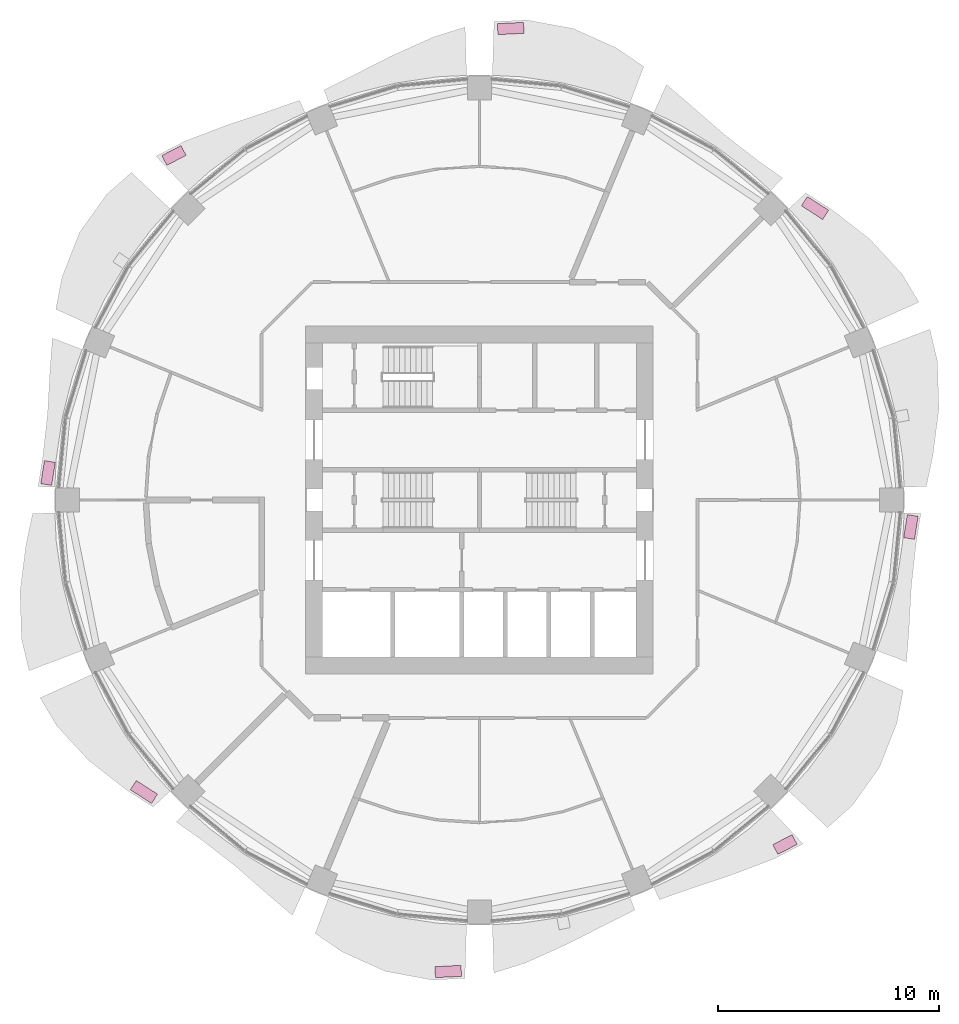
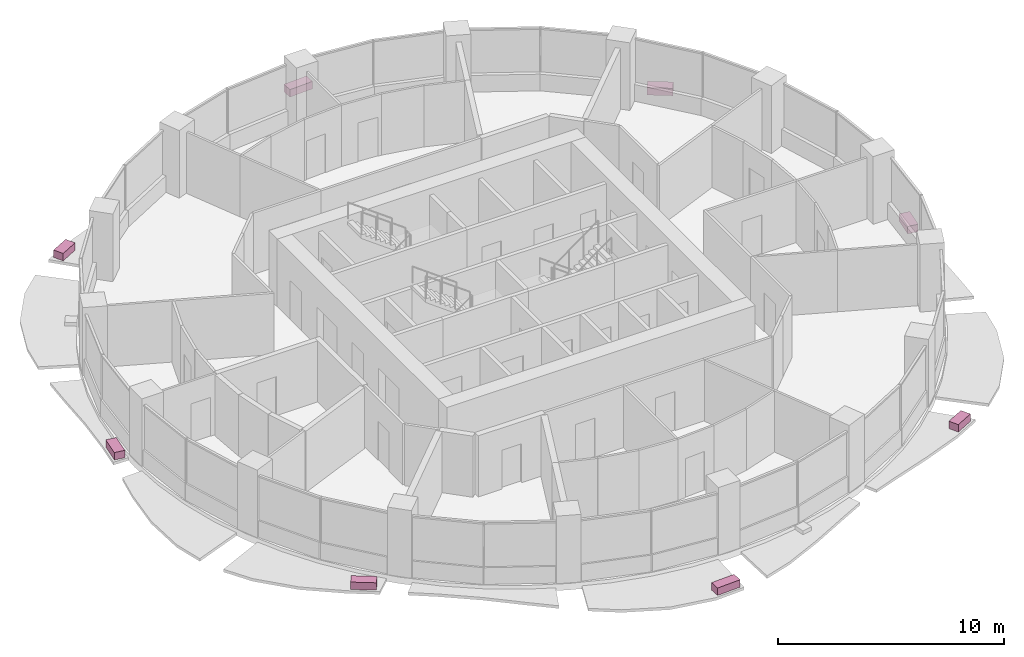
# One storey, part 14 of 14: 8 furniture elements.
"""IFC4 building model written with IfcOpenShell, lengths in metres."""

from ifc_helpers import new_model, si_unit, direction, frame, origin, origin_2d, place, context, subcontext, project, spatial, rectangle, extrude, material, type_object, element, save


model = new_model("IFC4")

# Units and contexts
model_context = context("Model", 3, precision=1e-05, world=origin(), true_north=direction((0.0, 1.0)))
body_context = subcontext(model_context, "Body", "Model", "MODEL_VIEW")
ifc_project = project(units=[si_unit("LENGTHUNIT", "METRE"), si_unit("AREAUNIT", "SQUARE_METRE"), si_unit("VOLUMEUNIT", "CUBIC_METRE"), si_unit("PLANEANGLEUNIT", "RADIAN"), si_unit("MASSUNIT", "GRAM", prefix="KILO")], contexts=[model_context])

# Site, building, storey
site_placement = place(None, origin())
site = spatial("IfcSite", under=ifc_project, at=site_placement, CompositionType="ELEMENT")
building_placement = place(site_placement, origin())
building = spatial("IfcBuilding", under=site, at=building_placement, Name="Polderwave Tower", CompositionType="ELEMENT")
storey_placement = place(building_placement, frame((0.0, 0.0, 98.300048828125)))
storey = spatial("IfcBuildingStorey", under=building, at=storey_placement, Name="L25", CompositionType="ELEMENT", Elevation=98.300048828125)

# Furniture
ifc_material = material(Name="Terracotta", Category="masonry")
furniture_type = type_object("IfcFurnitureType", Name="Terracotta planting trough", AssemblyPlace="NOTDEFINED", PredefinedType="USERDEFINED", material=ifc_material)
furniture_1_placement = place(storey_placement, frame((15.205078125, 13.22998046875, -0.199951171875), z_axis=(0.0, 0.0, 1.0), x_axis=(-0.840697997585, 0.541504272242, 0.0)))
element("IfcFurniture", 1, at=furniture_1_placement, inside=storey, type_object=furniture_type, Name="Planting trough L25 2", ObjectType="PLANTER", PredefinedType="USERDEFINED", context=body_context, shape_type="SweptSolid", body=[
    extrude(rectangle(XDim=1.145751953125, YDim=0.5, at=origin_2d()), origin(), (0.0, 0.0, 1.0), 0.39990234375),
])
furniture_2_placement = place(storey_placement, frame((1.4169921875, 21.364990234375, -0.199951171875), z_axis=(0.0, 0.0, 1.0), x_axis=(-0.998828539672, -0.048389547796, 0.0)))
element("IfcFurniture", 2, at=furniture_2_placement, inside=storey, type_object=furniture_type, Name="Planting trough L25 4", ObjectType="PLANTER", PredefinedType="USERDEFINED", context=body_context, shape_type="SweptSolid", body=[
    extrude(rectangle(XDim=1.18603515625, YDim=0.5, at=origin_2d()), origin(), (0.0, 0.0, 1.0), 0.39990234375),
])
furniture_3_placement = place(storey_placement, frame((-13.84375, 15.611328125, -0.199951171875), z_axis=(0.0, 0.0, 1.0), x_axis=(-0.887743889613, -0.460337687416, 0.0)))
element("IfcFurniture", 3, at=furniture_3_placement, inside=storey, type_object=furniture_type, Name="Planting trough L25 6", ObjectType="PLANTER", PredefinedType="USERDEFINED", context=body_context, shape_type="SweptSolid", body=[
    extrude(rectangle(XDim=0.982421875, YDim=0.5, at=origin_2d()), origin(), (0.0, 0.0, 1.0), 0.39990234375),
])
furniture_4_placement = place(storey_placement, frame((-19.550048828125, 1.222900390625, -0.199951171875), z_axis=(0.0, 0.0, 1.0), x_axis=(-0.157516943226, -0.987516284725, 0.0)))
element("IfcFurniture", 4, at=furniture_4_placement, inside=storey, type_object=furniture_type, Name="Planting trough L25 8", ObjectType="PLANTER", PredefinedType="USERDEFINED", context=body_context, shape_type="SweptSolid", body=[
    extrude(rectangle(XDim=1.058837890625, YDim=0.5, at=origin_2d()), origin(), (0.0, 0.0, 1.0), 0.39990234375),
])
furniture_5_placement = place(storey_placement, frame((-15.205078125, -13.22998046875, -0.199951171875), z_axis=(0.0, 0.0, 1.0), x_axis=(0.840697997585, -0.541504272242, 0.0)))
element("IfcFurniture", 5, at=furniture_5_placement, inside=storey, type_object=furniture_type, Name="Planting trough L25 10", ObjectType="PLANTER", PredefinedType="USERDEFINED", context=body_context, shape_type="SweptSolid", body=[
    extrude(rectangle(XDim=1.145751953125, YDim=0.5, at=origin_2d()), origin(), (0.0, 0.0, 1.0), 0.39990234375),
])
furniture_6_placement = place(storey_placement, frame((-1.4169921875, -21.364990234375, -0.199951171875), z_axis=(0.0, 0.0, 1.0), x_axis=(0.998828539672, 0.048389547796, 0.0)))
element("IfcFurniture", 6, at=furniture_6_placement, inside=storey, type_object=furniture_type, Name="Planting trough L25 12", ObjectType="PLANTER", PredefinedType="USERDEFINED", context=body_context, shape_type="SweptSolid", body=[
    extrude(rectangle(XDim=1.18603515625, YDim=0.5, at=origin_2d()), origin(), (0.0, 0.0, 1.0), 0.39990234375),
])
furniture_7_placement = place(storey_placement, frame((13.84375, -15.611328125, -0.199951171875), z_axis=(0.0, 0.0, 1.0), x_axis=(0.887743889613, 0.460337687416, 0.0)))
element("IfcFurniture", 7, at=furniture_7_placement, inside=storey, type_object=furniture_type, Name="Planting trough L25 14", ObjectType="PLANTER", PredefinedType="USERDEFINED", context=body_context, shape_type="SweptSolid", body=[
    extrude(rectangle(XDim=0.982421875, YDim=0.5, at=origin_2d()), origin(), (0.0, 0.0, 1.0), 0.39990234375),
])
furniture_8_placement = place(storey_placement, frame((19.550048828125, -1.222900390625, -0.199951171875), z_axis=(0.0, 0.0, 1.0), x_axis=(0.157516943226, 0.987516284725, 0.0)))
element("IfcFurniture", 8, at=furniture_8_placement, inside=storey, type_object=furniture_type, Name="Planting trough L25 16", ObjectType="PLANTER", PredefinedType="USERDEFINED", context=body_context, shape_type="SweptSolid", body=[
    extrude(rectangle(XDim=1.058837890625, YDim=0.5, at=origin_2d()), origin(), (0.0, 0.0, 1.0), 0.39990234375),
])

save(model, "model.ifc")
